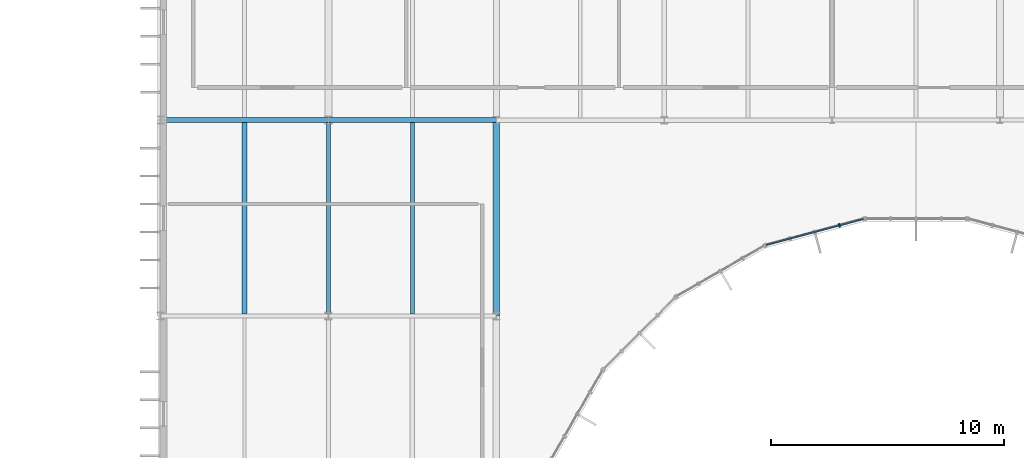
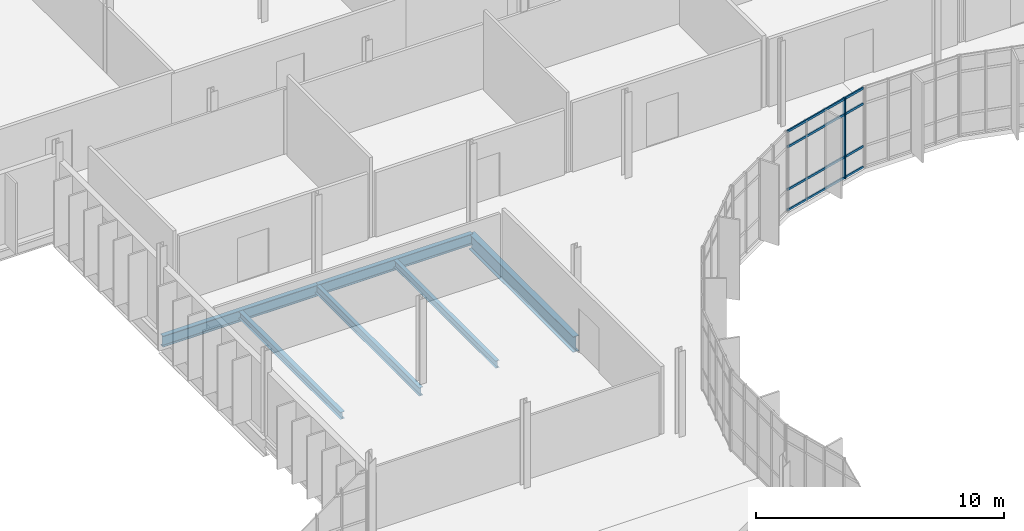
# One storey, part 48 of 99: 6 beams, 5 members, 1 element without a shape of its own.
"""IFC4 building model written with IfcOpenShell, lengths in metres."""

from ifc_helpers import new_model, si_unit, direction, frame, origin, origin_2d, place, context, subcontext, project, spatial, rectangle, i_section, extrude, material, material_profile, profile_set, type_object, element, aggregate, save


model = new_model("IFC4")

# Units and contexts
model_context = context("Model", 3, precision=1e-05, world=origin(), true_north=direction((0.0, 1.0)))
body_context = subcontext(model_context, "Body", "Model", "MODEL_VIEW")
ifc_project = project(units=[si_unit("LENGTHUNIT", "METRE"), si_unit("AREAUNIT", "SQUARE_METRE"), si_unit("VOLUMEUNIT", "CUBIC_METRE"), si_unit("PLANEANGLEUNIT", "RADIAN"), si_unit("MASSUNIT", "GRAM", prefix="KILO")], contexts=[model_context])

# Site, building, storey
site_placement = place(None, origin())
site = spatial("IfcSite", under=ifc_project, at=site_placement, CompositionType="ELEMENT")
building_placement = place(site_placement, origin())
building = spatial("IfcBuilding", under=site, at=building_placement, Name="Qelthora Terrace Specialist Clinic", CompositionType="ELEMENT")
storey_placement = place(building_placement, frame((0.0, 0.0, 9.0)))
storey = spatial("IfcBuildingStorey", under=building, at=storey_placement, Name="L02", CompositionType="ELEMENT", Elevation=9.0)

# Beams
ifc_material_1 = material(Name="Steel S355", Category="steel")
ifc_material_profile_1 = material_profile(ifc_material_1, i_section(OverallWidth=0.178955078125, OverallDepth=0.409912109375, WebThickness=0.0087890625, FlangeThickness=0.014404296875, FilletRadius=0.011962890625, at=origin_2d()), Name="W410X67")
ifc_profile_set_1 = profile_set([ifc_material_profile_1], Name="Steel S355")
beam_type_1 = type_object("IfcBeamType", Name="BM-W410X67", PredefinedType="BEAM", material=ifc_profile_set_1)
beam_1_placement = place(storey_placement, frame((100.800048828125, 75.60009765625, -0.455078125), z_axis=(0.0, 1.0, 0.0), x_axis=(-1.0, 0.0, 0.0)))
element("IfcBeam", 1, at=beam_1_placement, inside=storey, type_object=beam_type_1, Name="Girder BMY-L02-0850", PredefinedType="BEAM", context=body_context, shape_type="SweptSolid", body=[
    extrude(i_section(OverallWidth=0.178955078125, OverallDepth=0.409912109375, WebThickness=0.0087890625, FlangeThickness=0.014404296875, FilletRadius=0.011962890625, at=origin_2d()), origin(), (0.0, 0.0, 1.0), 8.39990234375),
])
ifc_material_profile_2 = material_profile(ifc_material_1, i_section(OverallWidth=0.2099609375, OverallDepth=0.537109375, WebThickness=0.010986328125, FlangeThickness=0.017333984375, FilletRadius=0.013916015625, at=origin_2d()), Name="W530X101")
ifc_profile_set_2 = profile_set([ifc_material_profile_2], Name="Steel S355")
beam_type_2 = type_object("IfcBeamType", Name="BM-W530X101", PredefinedType="BEAM", material=ifc_profile_set_2)
beam_2_placement = place(storey_placement, frame((100.800048828125, 84.0, -0.5185546875), z_axis=(1.0, 0.0, 0.0), x_axis=(0.0, 1.0, 0.0)))
element("IfcBeam", 2, at=beam_2_placement, inside=storey, type_object=beam_type_2, Name="Girder BMX-L02-0678", PredefinedType="BEAM", context=body_context, shape_type="SweptSolid", body=[
    extrude(i_section(OverallWidth=0.2099609375, OverallDepth=0.537109375, WebThickness=0.010986328125, FlangeThickness=0.017333984375, FilletRadius=0.013916015625, at=origin_2d()), origin(), (0.0, 0.0, 1.0), 7.199951171875),
])
ifc_material_profile_3 = material_profile(ifc_material_1, i_section(OverallWidth=0.2119140625, OverallDepth=0.5439453125, WebThickness=0.01318359375, FlangeThickness=0.021240234375, FilletRadius=0.013916015625, at=origin_2d()), Name="W530X123")
ifc_profile_set_3 = profile_set([ifc_material_profile_3], Name="Steel S355")
beam_type_3 = type_object("IfcBeamType", Name="BM-W530X123", PredefinedType="BEAM", material=ifc_profile_set_3)
beam_3_placement = place(storey_placement, frame((93.60009765625, 84.0, -0.52197265625), z_axis=(1.0, 0.0, 0.0), x_axis=(0.0, 1.0, 0.0)))
element("IfcBeam", 3, at=beam_3_placement, inside=storey, type_object=beam_type_3, Name="Girder BMX-L02-0677", PredefinedType="BEAM", context=body_context, shape_type="SweptSolid", body=[
    extrude(i_section(OverallWidth=0.2119140625, OverallDepth=0.5439453125, WebThickness=0.01318359375, FlangeThickness=0.021240234375, FilletRadius=0.013916015625, at=origin_2d()), origin(), (0.0, 0.0, 1.0), 7.199951171875),
])
ifc_material_profile_4 = material_profile(ifc_material_1, i_section(OverallWidth=0.26806640625, OverallDepth=0.77001953125, WebThickness=0.015625, FlangeThickness=0.025390625, FilletRadius=0.01904296875, at=origin_2d()), Name="W760X196")
ifc_profile_set_4 = profile_set([ifc_material_profile_4], Name="Steel S355")
beam_type_4 = type_object("IfcBeamType", Name="BM-W760X196", PredefinedType="BEAM", material=ifc_profile_set_4)
beam_4_placement = place(storey_placement, frame((108.0, 75.60009765625, -0.635009765625), z_axis=(0.0, 1.0, 0.0), x_axis=(-1.0, 0.0, 0.0)))
element("IfcBeam", 4, at=beam_4_placement, inside=storey, type_object=beam_type_4, Name="Girder BMY-L02-0862", PredefinedType="BEAM", context=body_context, shape_type="SweptSolid", body=[
    extrude(i_section(OverallWidth=0.26806640625, OverallDepth=0.77001953125, WebThickness=0.015625, FlangeThickness=0.025390625, FilletRadius=0.01904296875, at=origin_2d()), origin(), (0.0, 0.0, 1.0), 8.39990234375),
])

# Curtain wall, members
ifc_material_2 = material(Name="Aluminium anodized bronze", Category="aluminium")
curtain_wall_type = type_object("IfcCurtainWallType", Name="CW-CRTE-UPP", PredefinedType="NOTDEFINED", material=ifc_material_2)
curtain_wall_placement = place(storey_placement, origin())
curtain_wall = element("IfcCurtainWall", 5, at=curtain_wall_placement, inside=storey, type_object=curtain_wall_type, Name="Curtain wall CW-CE-L02-07", PredefinedType="NOTDEFINED")
ifc_material_profile_5 = material_profile(ifc_material_2, rectangle(XDim=0.06005859375, YDim=0.14990234375, at=origin_2d()), Name="CWM60X150")
ifc_profile_set_5 = profile_set([ifc_material_profile_5], Name="Aluminium anodized bronze")
member_type_1 = type_object("IfcMemberType", Name="CWM-60X150", PredefinedType="MULLION", material=ifc_profile_set_5)
member_1_placement = place(storey_placement, frame((122.717041015625, 79.488525390625, 0.0), z_axis=(0.0, 0.0, 1.0), x_axis=(-0.965925660235, -0.258819664824, 0.0)))
member_1 = element("IfcMember", 6, at=member_1_placement, type_object=member_type_1, Name="CW-CE-L02-07 mullion 2", PredefinedType="MULLION", context=body_context, shape_type="SweptSolid", body=[
    extrude(rectangle(XDim=0.06005859375, YDim=0.14990234375, at=origin_2d()), origin(), (0.0, 0.0, 1.0), 3.945068359375),
])
ifc_material_profile_6 = material_profile(ifc_material_2, rectangle(XDim=0.06005859375, YDim=0.110107421875, at=origin_2d()), Name="CWT60X110")
ifc_profile_set_6 = profile_set([ifc_material_profile_6], Name="Aluminium anodized bronze")
member_type_2 = type_object("IfcMemberType", Name="CWT-60X110", PredefinedType="USERDEFINED", material=ifc_profile_set_6)
member_2_placement = place(storey_placement, frame((123.737548828125, 79.76171875, 0.0400390625), z_axis=(-0.965933119212, -0.25879182601, 0.0), x_axis=(0.25879182601, -0.965933119212, 0.0)))
member_2 = element("IfcMember", 7, at=member_2_placement, type_object=member_type_2, Name="CW-CE-L02-07 transom 1", ObjectType="TRANSOM", PredefinedType="USERDEFINED", context=body_context, shape_type="SweptSolid", body=[
    extrude(rectangle(XDim=0.06005859375, YDim=0.110107421875, at=origin_2d()), origin(), (0.0, 0.0, 1.0), 4.3056640625),
])
member_3_placement = place(storey_placement, frame((123.737548828125, 79.76171875, 1.050048828125), z_axis=(-0.965933119212, -0.25879182601, 0.0), x_axis=(0.25879182601, -0.965933119212, 0.0)))
member_3 = element("IfcMember", 8, at=member_3_placement, type_object=member_type_2, Name="CW-CE-L02-07 transom 2", ObjectType="TRANSOM", PredefinedType="USERDEFINED", context=body_context, shape_type="SweptSolid", body=[
    extrude(rectangle(XDim=0.06005859375, YDim=0.110107421875, at=origin_2d()), origin(), (0.0, 0.0, 1.0), 4.3056640625),
])
member_4_placement = place(storey_placement, frame((123.737548828125, 79.76171875, 3.14501953125), z_axis=(-0.965933119212, -0.25879182601, 0.0), x_axis=(0.25879182601, -0.965933119212, 0.0)))
member_4 = element("IfcMember", 9, at=member_4_placement, type_object=member_type_2, Name="CW-CE-L02-07 transom 3", ObjectType="TRANSOM", PredefinedType="USERDEFINED", context=body_context, shape_type="SweptSolid", body=[
    extrude(rectangle(XDim=0.06005859375, YDim=0.110107421875, at=origin_2d()), origin(), (0.0, 0.0, 1.0), 4.3056640625),
])
member_5_placement = place(storey_placement, frame((123.737548828125, 79.76171875, 3.905029296875), z_axis=(-0.965933119212, -0.25879182601, 0.0), x_axis=(0.25879182601, -0.965933119212, 0.0)))
member_5 = element("IfcMember", 10, at=member_5_placement, type_object=member_type_2, Name="CW-CE-L02-07 transom 4", ObjectType="TRANSOM", PredefinedType="USERDEFINED", context=body_context, shape_type="SweptSolid", body=[
    extrude(rectangle(XDim=0.06005859375, YDim=0.110107421875, at=origin_2d()), origin(), (0.0, 0.0, 1.0), 4.3056640625),
])
aggregate(curtain_wall, [member_1, member_2, member_3, member_4, member_5])

# Beams
ifc_material_profile_7 = material_profile(ifc_material_1, i_section(OverallWidth=0.172119140625, OverallDepth=0.35791015625, WebThickness=0.0078125, FlangeThickness=0.01318359375, FilletRadius=0.010986328125, at=origin_2d()), Name="W360X57")
ifc_profile_set_7 = profile_set([ifc_material_profile_7], Name="Steel S355")
beam_type_5 = type_object("IfcBeamType", Name="JST-W360X57", PredefinedType="JOIST", material=ifc_profile_set_7)
beam_5_placement = place(storey_placement, frame((104.39990234375, 75.689453125, -0.428955078125), z_axis=(0.0, 1.0, 0.0), x_axis=(-1.0, 0.0, 0.0)))
element("IfcBeam", 11, at=beam_5_placement, inside=storey, type_object=beam_type_5, Name="Composite floor joist JST-L02-0194", PredefinedType="JOIST", context=body_context, shape_type="SweptSolid", body=[
    extrude(i_section(OverallWidth=0.172119140625, OverallDepth=0.35791015625, WebThickness=0.0078125, FlangeThickness=0.01318359375, FilletRadius=0.010986328125, at=origin_2d()), origin(), (0.0, 0.0, 1.0), 8.20556640625),
])
ifc_material_profile_8 = material_profile(ifc_material_1, i_section(OverallWidth=0.202880859375, OverallDepth=0.346923828125, WebThickness=0.0078125, FlangeThickness=0.013427734375, FilletRadius=0.010986328125, at=origin_2d()), Name="W360X64")
ifc_profile_set_8 = profile_set([ifc_material_profile_8], Name="Steel S355")
beam_type_6 = type_object("IfcBeamType", Name="JST-W360X64", PredefinedType="JOIST", material=ifc_profile_set_8)
beam_6_placement = place(storey_placement, frame((97.199951171875, 75.68994140625, -0.423583984375), z_axis=(0.0, 1.0, 0.0), x_axis=(-1.0, 0.0, 0.0)))
element("IfcBeam", 12, at=beam_6_placement, inside=storey, type_object=beam_type_6, Name="Composite floor joist JST-L02-0187", PredefinedType="JOIST", context=body_context, shape_type="SweptSolid", body=[
    extrude(i_section(OverallWidth=0.202880859375, OverallDepth=0.346923828125, WebThickness=0.0078125, FlangeThickness=0.013427734375, FilletRadius=0.010986328125, at=origin_2d()), origin(), (0.0, 0.0, 1.0), 8.2041015625),
])

save(model, "model.ifc")
